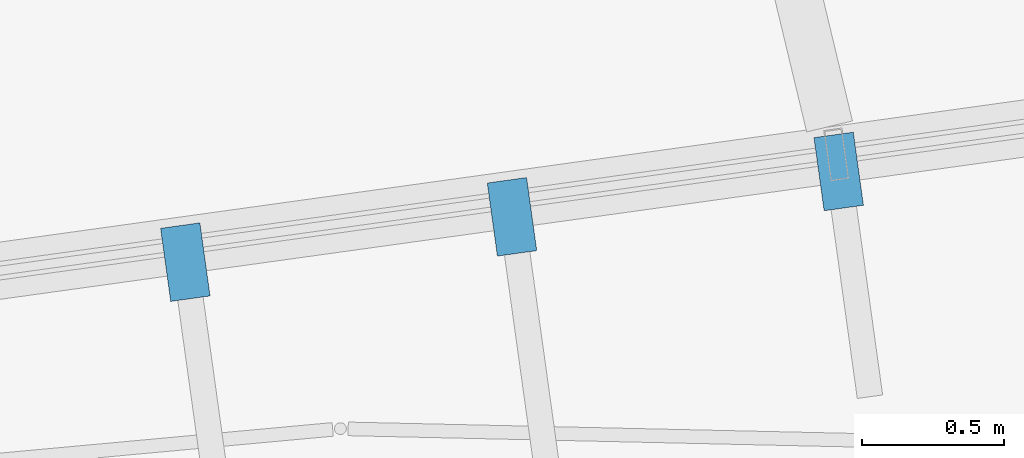
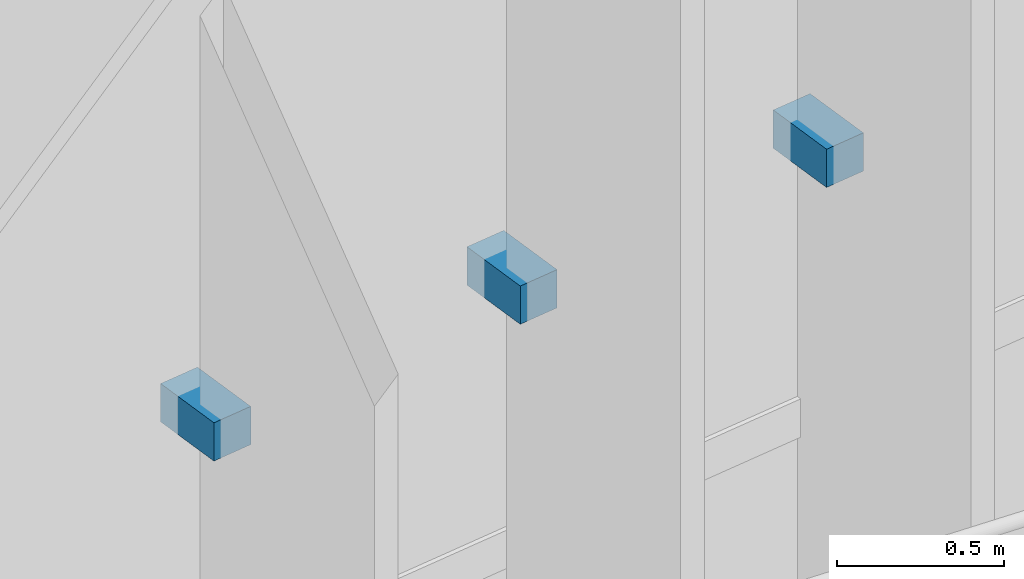
# One storey, part 72 of 79: 3 discrete accessories.
"""IFC4 building model written with IfcOpenShell, lengths in metres."""

from ifc_helpers import new_model, si_unit, direction, frame, origin, origin_2d, place, context, subcontext, project, spatial, rectangle, extrude, material, type_object, element, save


model = new_model("IFC4")

# Units and contexts
model_context = context("Model", 3, precision=1e-05, world=origin(), true_north=direction((0.0, 1.0)))
body_context = subcontext(model_context, "Body", "Model", "MODEL_VIEW")
ifc_project = project(units=[si_unit("LENGTHUNIT", "METRE"), si_unit("AREAUNIT", "SQUARE_METRE"), si_unit("VOLUMEUNIT", "CUBIC_METRE"), si_unit("PLANEANGLEUNIT", "RADIAN"), si_unit("MASSUNIT", "GRAM", prefix="KILO"), si_unit("THERMODYNAMICTEMPERATUREUNIT", "KELVIN"), si_unit("POWERUNIT", "WATT")], contexts=[model_context])

# Site, building, storey
site_placement = place(None, origin())
site = spatial("IfcSite", under=ifc_project, at=site_placement, CompositionType="ELEMENT")
building_placement = place(site_placement, origin())
building = spatial("IfcBuilding", under=site, at=building_placement, Name="Darbajah Civic Hall", CompositionType="ELEMENT")
storey_placement = place(building_placement, frame((0.0, 0.0, 22.199951171875)))
storey = spatial("IfcBuildingStorey", under=building, at=storey_placement, Name="L05", CompositionType="ELEMENT", Elevation=22.199951171875)

# Discrete accessories
ifc_material = material(Name="Stainless Steel S355JR", Category="steel")
discrete_accessory_type = type_object("IfcDiscreteAccessoryType", Name="Stainless Facade Support Bracket", PredefinedType="BRACKET", material=ifc_material)
for number, where, z_axis, x_axis, name in (
    (1, (98.564697265625, 61.089111328125, 1.89013671875), (0.0, 0.0, 1.0), (0.137617420457, -0.990485459553, 0.0), "L05 shading fin bracket 15-5"),
    (2, (99.716064453125, 61.248779296875, 1.89013671875), (0.0, 0.0, 1.0), (0.137617420457, -0.990485459553, 0.0), "L05 shading fin bracket 15-6"),
    (3, (100.867431640625, 61.40869140625, 1.89013671875), (0.0, 0.0, 1.0), (0.137617420457, -0.990485459553, 0.0), "L05 shading fin bracket 15-7"),
):
    element("IfcDiscreteAccessory", number, at=place(storey_placement, frame(where, z_axis=z_axis, x_axis=x_axis)), inside=storey, type_object=discrete_accessory_type, Name=name, PredefinedType="BRACKET", context=body_context, shape_type="SweptSolid", body=[
        extrude(rectangle(XDim=0.260009765625, YDim=0.139892578125, at=origin_2d()), origin(), (0.0, 0.0, 1.0), 0.139892578125),
    ])

save(model, "model.ifc")
